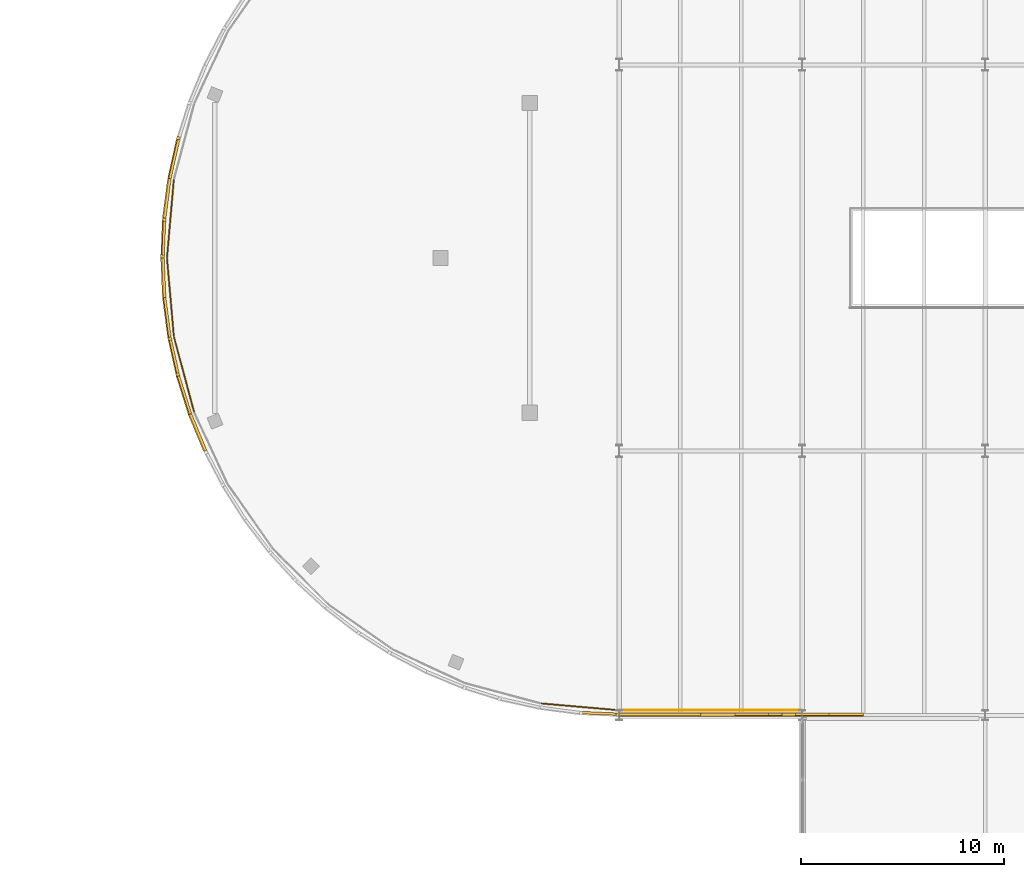
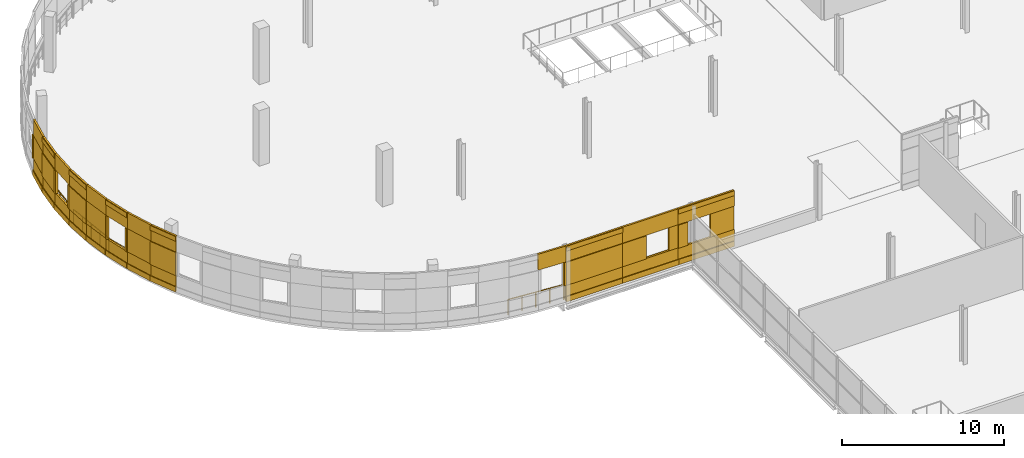
# One storey, part 78 of 88: 57 coverings, 5 railings.
"""IFC4 building model written with IfcOpenShell, lengths in metres."""

from ifc_helpers import new_model, si_unit, direction, frame, origin, origin_2d, place, context, subcontext, project, spatial, rectangle, circle, extrude, material, layer, layer_set, type_object, element, save


model = new_model("IFC4")

# Units and contexts
model_context = context("Model", 3, precision=1e-05, world=origin(), true_north=direction((0.0, 1.0)))
body_context = subcontext(model_context, "Body", "Model", "MODEL_VIEW")
ifc_project = project(units=[si_unit("LENGTHUNIT", "METRE"), si_unit("AREAUNIT", "SQUARE_METRE"), si_unit("VOLUMEUNIT", "CUBIC_METRE"), si_unit("PLANEANGLEUNIT", "RADIAN"), si_unit("MASSUNIT", "GRAM", prefix="KILO")], contexts=[model_context])

# Site, building, storey
site_placement = place(None, origin())
site = spatial("IfcSite", under=ifc_project, at=site_placement, CompositionType="ELEMENT")
building_placement = place(site_placement, origin())
building = spatial("IfcBuilding", under=site, at=building_placement, Name="Deido Ridge Mobility Hub", CompositionType="ELEMENT")
storey_placement = place(building_placement, frame((0.0, 0.0, 16.800048828125)))
storey = spatial("IfcBuildingStorey", under=building, at=storey_placement, Name="L04", CompositionType="ELEMENT", Elevation=16.800048828125)

# Coverings
ifc_material_1 = material(Name="Fired clay brick masonry", Category="masonry")
ifc_layer = layer(ifc_material_1, 0.114990234375, Name="Fired clay brick masonry")
ifc_layer_set = layer_set([ifc_layer], Name="Fired clay brick masonry")
covering_type = type_object("IfcCoveringType", Name="COV-BRK-SCREEN-115", PredefinedType="CLADDING", material=ifc_layer_set)
covering_1_placement = place(storey_placement, frame((23.314697265625, 109.392578125, 1.25), z_axis=(0.0, 0.0, 1.0), x_axis=(-0.300672508319, -0.95372744678, 0.0)))
element("IfcCovering", 1, at=covering_1_placement, inside=storey, type_object=covering_type, Name="Curved brick jamb nib BKS1 (L04)", PredefinedType="CLADDING", context=body_context, shape_type="SweptSolid", body=[
    extrude(rectangle(XDim=0.152099609375, YDim=0.179931640625, at=origin_2d()), origin(), (0.0, 0.0, 1.0), 1.75),
])
covering_2_placement = place(storey_placement, frame((23.10546875, 108.35400390625, 0.0), z_axis=(0.0, 0.0, 1.0), x_axis=(-0.216456653485, -0.976292229387, 0.0)))
element("IfcCovering", 2, at=covering_2_placement, inside=storey, type_object=covering_type, Name="Open brickwork spandrel course BKS1 (L04)", PredefinedType="CLADDING", context=body_context, shape_type="SweptSolid", body=[
    extrude(rectangle(XDim=1.9619140625, YDim=0.125, at=origin_2d()), origin(), (0.0, 0.0, 1.0), 1.25),
])
covering_3_placement = place(storey_placement, frame((23.07861328125, 108.35986328125, 0.0), z_axis=(0.0, 0.0, 1.0), x_axis=(-0.216456653485, -0.976292229387, 0.0)))
element("IfcCovering", 3, at=covering_3_placement, inside=storey, type_object=covering_type, Name="Raised brick relief belt BKS1 (L04)", PredefinedType="CLADDING", context=body_context, shape_type="SweptSolid", body=[
    extrude(rectangle(XDim=1.9619140625, YDim=0.179931640625, at=origin_2d()), origin(), (0.0, 0.0, 1.0), 0.39990234375),
])
covering_4_placement = place(storey_placement, frame((23.10546875, 108.35400390625, 3.0), z_axis=(0.0, 0.0, 1.0), x_axis=(-0.216456653485, -0.976292229387, 0.0)))
element("IfcCovering", 4, at=covering_4_placement, inside=storey, type_object=covering_type, Name="Open brickwork lintel course BKS1 (L04)", PredefinedType="CLADDING", context=body_context, shape_type="SweptSolid", body=[
    extrude(rectangle(XDim=1.9619140625, YDim=0.125, at=origin_2d()), origin(), (0.0, 0.0, 1.0), 1.199951171875),
])
covering_5_placement = place(storey_placement, frame((23.10546875, 108.35400390625, 1.25), z_axis=(0.0, 0.0, 1.0), x_axis=(-0.216456653485, -0.976292229387, 0.0)))
element("IfcCovering", 5, at=covering_5_placement, inside=storey, type_object=covering_type, Name="Curved raised brickwork pier BKS1 (L04)", PredefinedType="CLADDING", context=body_context, shape_type="SweptSolid", body=[
    extrude(rectangle(XDim=1.9619140625, YDim=0.125, at=origin_2d()), origin(), (0.0, 0.0, 1.0), 1.75),
])
covering_6_placement = place(storey_placement, frame((22.765625, 106.42724609375, 0.0), z_axis=(0.0, 0.0, 1.0), x_axis=(-0.130543496177, -0.991442583111, 0.0)))
element("IfcCovering", 6, at=covering_6_placement, inside=storey, type_object=covering_type, Name="Open brickwork spandrel course BKS1 (L04)", PredefinedType="CLADDING", context=body_context, shape_type="SweptSolid", body=[
    extrude(rectangle(XDim=1.9619140625, YDim=0.125, at=origin_2d()), origin(), (0.0, 0.0, 1.0), 1.25),
])
covering_7_placement = place(storey_placement, frame((22.73828125, 106.430908203125, 0.0), z_axis=(0.0, 0.0, 1.0), x_axis=(-0.130543496177, -0.991442583111, 0.0)))
element("IfcCovering", 7, at=covering_7_placement, inside=storey, type_object=covering_type, Name="Raised brick relief belt BKS1 (L04)", PredefinedType="CLADDING", context=body_context, shape_type="SweptSolid", body=[
    extrude(rectangle(XDim=1.9619140625, YDim=0.179931640625, at=origin_2d()), origin(), (0.0, 0.0, 1.0), 0.39990234375),
])
covering_8_placement = place(storey_placement, frame((22.765625, 106.42724609375, 3.0), z_axis=(0.0, 0.0, 1.0), x_axis=(-0.130543496177, -0.991442583111, 0.0)))
element("IfcCovering", 8, at=covering_8_placement, inside=storey, type_object=covering_type, Name="Open brickwork lintel course BKS1 (L04)", PredefinedType="CLADDING", context=body_context, shape_type="SweptSolid", body=[
    extrude(rectangle(XDim=1.9619140625, YDim=0.125, at=origin_2d()), origin(), (0.0, 0.0, 1.0), 1.199951171875),
])
covering_9_placement = place(storey_placement, frame((22.73828125, 106.430908203125, 3.83984375), z_axis=(0.0, 0.0, 1.0), x_axis=(-0.130543496177, -0.991442583111, 0.0)))
element("IfcCovering", 9, at=covering_9_placement, inside=storey, type_object=covering_type, Name="Raised brick relief cornice BKS1 (L04)", PredefinedType="CLADDING", context=body_context, shape_type="SweptSolid", body=[
    extrude(rectangle(XDim=1.9619140625, YDim=0.179931640625, at=origin_2d()), origin(), (0.0, 0.0, 1.0), 0.360107421875),
])
covering_10_placement = place(storey_placement, frame((22.73828125, 106.430908203125, 1.25), z_axis=(0.0, 0.0, 1.0), x_axis=(-0.130543496177, -0.991442583111, 0.0)))
element("IfcCovering", 10, at=covering_10_placement, inside=storey, type_object=covering_type, Name="Curved raised brickwork pier BKS1 (L04)", PredefinedType="CLADDING", context=body_context, shape_type="SweptSolid", body=[
    extrude(rectangle(XDim=1.9619140625, YDim=0.179931640625, at=origin_2d()), origin(), (0.0, 0.0, 1.0), 1.75),
])
covering_11_placement = place(storey_placement, frame((22.59521484375, 104.478271484375, 0.0), z_axis=(0.0, 0.0, 1.0), x_axis=(-0.043601950678, -0.999048982732, 0.0)))
element("IfcCovering", 11, at=covering_11_placement, inside=storey, type_object=covering_type, Name="Open brickwork spandrel course BKS1 (L04)", PredefinedType="CLADDING", context=body_context, shape_type="SweptSolid", body=[
    extrude(rectangle(XDim=1.9619140625, YDim=0.125, at=origin_2d()), origin(), (0.0, 0.0, 1.0), 1.25),
])
covering_12_placement = place(storey_placement, frame((22.567626953125, 104.4794921875, 0.0), z_axis=(0.0, 0.0, 1.0), x_axis=(-0.043601950678, -0.999048982732, 0.0)))
element("IfcCovering", 12, at=covering_12_placement, inside=storey, type_object=covering_type, Name="Raised brick relief belt BKS1 (L04)", PredefinedType="CLADDING", context=body_context, shape_type="SweptSolid", body=[
    extrude(rectangle(XDim=1.9619140625, YDim=0.179931640625, at=origin_2d()), origin(), (0.0, 0.0, 1.0), 0.39990234375),
])
covering_13_placement = place(storey_placement, frame((22.59521484375, 104.478271484375, 3.0), z_axis=(0.0, 0.0, 1.0), x_axis=(-0.043601950678, -0.999048982732, 0.0)))
element("IfcCovering", 13, at=covering_13_placement, inside=storey, type_object=covering_type, Name="Open brickwork lintel course BKS1 (L04)", PredefinedType="CLADDING", context=body_context, shape_type="SweptSolid", body=[
    extrude(rectangle(XDim=1.9619140625, YDim=0.125, at=origin_2d()), origin(), (0.0, 0.0, 1.0), 1.199951171875),
])
for number, where, z_axis, x_axis, name in (
    (14, (22.60693359375, 105.379638671875, 1.25), (0.0, 0.0, 1.0), (-0.043601950678, -0.999048982732, 0.0), "Curved brick jamb nib BKS1 (L04)"),
    (15, (22.5283203125, 103.5791015625, 1.25), (0.0, 0.0, 1.0), (-0.043601950678, -0.999048982732, 0.0), "Curved brick jamb nib BKS1 (L04)"),
):
    element("IfcCovering", number, at=place(storey_placement, frame(where, z_axis=z_axis, x_axis=x_axis)), inside=storey, type_object=covering_type, Name=name, PredefinedType="CLADDING", context=body_context, shape_type="SweptSolid", body=[
        extrude(rectangle(XDim=0.152099609375, YDim=0.179931640625, at=origin_2d()), origin(), (0.0, 0.0, 1.0), 1.75),
    ])
covering_14_placement = place(storey_placement, frame((22.59521484375, 102.521728515625, 0.0), z_axis=(0.0, 0.0, 1.0), x_axis=(0.043601950678, -0.999048982732, 0.0)))
element("IfcCovering", 16, at=covering_14_placement, inside=storey, type_object=covering_type, Name="Open brickwork spandrel course BKS1 (L04)", PredefinedType="CLADDING", context=body_context, shape_type="SweptSolid", body=[
    extrude(rectangle(XDim=1.9619140625, YDim=0.125, at=origin_2d()), origin(), (0.0, 0.0, 1.0), 1.25),
])
covering_15_placement = place(storey_placement, frame((22.567626953125, 102.5205078125, 0.0), z_axis=(0.0, 0.0, 1.0), x_axis=(0.043601950678, -0.999048982732, 0.0)))
element("IfcCovering", 17, at=covering_15_placement, inside=storey, type_object=covering_type, Name="Raised brick relief belt BKS1 (L04)", PredefinedType="CLADDING", context=body_context, shape_type="SweptSolid", body=[
    extrude(rectangle(XDim=1.9619140625, YDim=0.179931640625, at=origin_2d()), origin(), (0.0, 0.0, 1.0), 0.39990234375),
])
covering_16_placement = place(storey_placement, frame((22.59521484375, 102.521728515625, 3.0), z_axis=(0.0, 0.0, 1.0), x_axis=(0.043601950678, -0.999048982732, 0.0)))
element("IfcCovering", 18, at=covering_16_placement, inside=storey, type_object=covering_type, Name="Open brickwork lintel course BKS1 (L04)", PredefinedType="CLADDING", context=body_context, shape_type="SweptSolid", body=[
    extrude(rectangle(XDim=1.9619140625, YDim=0.125, at=origin_2d()), origin(), (0.0, 0.0, 1.0), 1.199951171875),
])
covering_17_placement = place(storey_placement, frame((22.567626953125, 102.5205078125, 3.83984375), z_axis=(0.0, 0.0, 1.0), x_axis=(0.043601950678, -0.999048982732, 0.0)))
element("IfcCovering", 19, at=covering_17_placement, inside=storey, type_object=covering_type, Name="Raised brick relief cornice BKS1 (L04)", PredefinedType="CLADDING", context=body_context, shape_type="SweptSolid", body=[
    extrude(rectangle(XDim=1.9619140625, YDim=0.179931640625, at=origin_2d()), origin(), (0.0, 0.0, 1.0), 0.360107421875),
])
covering_18_placement = place(storey_placement, frame((22.567626953125, 102.5205078125, 1.25), z_axis=(0.0, 0.0, 1.0), x_axis=(0.043601950678, -0.999048982732, 0.0)))
element("IfcCovering", 20, at=covering_18_placement, inside=storey, type_object=covering_type, Name="Curved raised brickwork pier BKS1 (L04)", PredefinedType="CLADDING", context=body_context, shape_type="SweptSolid", body=[
    extrude(rectangle(XDim=1.9619140625, YDim=0.179931640625, at=origin_2d()), origin(), (0.0, 0.0, 1.0), 1.75),
])
covering_19_placement = place(storey_placement, frame((22.765625, 100.57275390625, 0.0), z_axis=(0.0, 0.0, 1.0), x_axis=(0.130543496177, -0.991442583111, 0.0)))
element("IfcCovering", 21, at=covering_19_placement, inside=storey, type_object=covering_type, Name="Open brickwork spandrel course BKS1 (L04)", PredefinedType="CLADDING", context=body_context, shape_type="SweptSolid", body=[
    extrude(rectangle(XDim=1.9619140625, YDim=0.125, at=origin_2d()), origin(), (0.0, 0.0, 1.0), 1.25),
])
covering_20_placement = place(storey_placement, frame((22.73828125, 100.569091796875, 0.0), z_axis=(0.0, 0.0, 1.0), x_axis=(0.130543496177, -0.991442583111, 0.0)))
element("IfcCovering", 22, at=covering_20_placement, inside=storey, type_object=covering_type, Name="Raised brick relief belt BKS1 (L04)", PredefinedType="CLADDING", context=body_context, shape_type="SweptSolid", body=[
    extrude(rectangle(XDim=1.9619140625, YDim=0.179931640625, at=origin_2d()), origin(), (0.0, 0.0, 1.0), 0.39990234375),
])
covering_21_placement = place(storey_placement, frame((22.765625, 100.57275390625, 3.0), z_axis=(0.0, 0.0, 1.0), x_axis=(0.130543496177, -0.991442583111, 0.0)))
element("IfcCovering", 23, at=covering_21_placement, inside=storey, type_object=covering_type, Name="Open brickwork lintel course BKS1 (L04)", PredefinedType="CLADDING", context=body_context, shape_type="SweptSolid", body=[
    extrude(rectangle(XDim=1.9619140625, YDim=0.125, at=origin_2d()), origin(), (0.0, 0.0, 1.0), 1.199951171875),
])
covering_22_placement = place(storey_placement, frame((22.765625, 100.57275390625, 1.25), z_axis=(0.0, 0.0, 1.0), x_axis=(0.130543496177, -0.991442583111, 0.0)))
element("IfcCovering", 24, at=covering_22_placement, inside=storey, type_object=covering_type, Name="Curved raised brickwork pier BKS1 (L04)", PredefinedType="CLADDING", context=body_context, shape_type="SweptSolid", body=[
    extrude(rectangle(XDim=1.9619140625, YDim=0.125, at=origin_2d()), origin(), (0.0, 0.0, 1.0), 1.75),
])
covering_23_placement = place(storey_placement, frame((23.10546875, 98.64599609375, 0.0), z_axis=(0.0, 0.0, 1.0), x_axis=(0.216456653485, -0.976292229387, 0.0)))
element("IfcCovering", 25, at=covering_23_placement, inside=storey, type_object=covering_type, Name="Open brickwork spandrel course BKS1 (L04)", PredefinedType="CLADDING", context=body_context, shape_type="SweptSolid", body=[
    extrude(rectangle(XDim=1.9619140625, YDim=0.125, at=origin_2d()), origin(), (0.0, 0.0, 1.0), 1.25),
])
covering_24_placement = place(storey_placement, frame((23.07861328125, 98.64013671875, 0.0), z_axis=(0.0, 0.0, 1.0), x_axis=(0.216456653485, -0.976292229387, 0.0)))
element("IfcCovering", 26, at=covering_24_placement, inside=storey, type_object=covering_type, Name="Raised brick relief belt BKS1 (L04)", PredefinedType="CLADDING", context=body_context, shape_type="SweptSolid", body=[
    extrude(rectangle(XDim=1.9619140625, YDim=0.179931640625, at=origin_2d()), origin(), (0.0, 0.0, 1.0), 0.39990234375),
])
covering_25_placement = place(storey_placement, frame((23.10546875, 98.64599609375, 3.0), z_axis=(0.0, 0.0, 1.0), x_axis=(0.216456653485, -0.976292229387, 0.0)))
element("IfcCovering", 27, at=covering_25_placement, inside=storey, type_object=covering_type, Name="Open brickwork lintel course BKS1 (L04)", PredefinedType="CLADDING", context=body_context, shape_type="SweptSolid", body=[
    extrude(rectangle(XDim=1.9619140625, YDim=0.125, at=origin_2d()), origin(), (0.0, 0.0, 1.0), 1.199951171875),
])
covering_26_placement = place(storey_placement, frame((23.07861328125, 98.64013671875, 3.83984375), z_axis=(0.0, 0.0, 1.0), x_axis=(0.216456653485, -0.976292229387, 0.0)))
element("IfcCovering", 28, at=covering_26_placement, inside=storey, type_object=covering_type, Name="Raised brick relief cornice BKS1 (L04)", PredefinedType="CLADDING", context=body_context, shape_type="SweptSolid", body=[
    extrude(rectangle(XDim=1.9619140625, YDim=0.179931640625, at=origin_2d()), origin(), (0.0, 0.0, 1.0), 0.360107421875),
])
for number, where, z_axis, x_axis, name in (
    (29, (22.883544921875, 99.519775390625, 1.25), (0.0, 0.0, 1.0), (0.216456653485, -0.976292229387, 0.0), "Curved brick jamb nib BKS1 (L04)"),
    (30, (23.273681640625, 97.760498046875, 1.25), (0.0, 0.0, 1.0), (0.216456653485, -0.976292229387, 0.0), "Curved brick jamb nib BKS1 (L04)"),
):
    element("IfcCovering", number, at=place(storey_placement, frame(where, z_axis=z_axis, x_axis=x_axis)), inside=storey, type_object=covering_type, Name=name, PredefinedType="CLADDING", context=body_context, shape_type="SweptSolid", body=[
        extrude(rectangle(XDim=0.152099609375, YDim=0.179931640625, at=origin_2d()), origin(), (0.0, 0.0, 1.0), 1.75),
    ])
covering_27_placement = place(storey_placement, frame((23.61181640625, 96.75634765625, 0.0), z_axis=(0.0, 0.0, 1.0), x_axis=(0.300672508319, -0.95372744678, 0.0)))
element("IfcCovering", 31, at=covering_27_placement, inside=storey, type_object=covering_type, Name="Open brickwork spandrel course BKS1 (L04)", PredefinedType="CLADDING", context=body_context, shape_type="SweptSolid", body=[
    extrude(rectangle(XDim=1.9619140625, YDim=0.125, at=origin_2d()), origin(), (0.0, 0.0, 1.0), 1.25),
])
covering_28_placement = place(storey_placement, frame((23.585693359375, 96.748046875, 0.0), z_axis=(0.0, 0.0, 1.0), x_axis=(0.300672508319, -0.95372744678, 0.0)))
element("IfcCovering", 32, at=covering_28_placement, inside=storey, type_object=covering_type, Name="Raised brick relief belt BKS1 (L04)", PredefinedType="CLADDING", context=body_context, shape_type="SweptSolid", body=[
    extrude(rectangle(XDim=1.9619140625, YDim=0.179931640625, at=origin_2d()), origin(), (0.0, 0.0, 1.0), 0.39990234375),
])
covering_29_placement = place(storey_placement, frame((23.61181640625, 96.75634765625, 3.0), z_axis=(0.0, 0.0, 1.0), x_axis=(0.300672508319, -0.95372744678, 0.0)))
element("IfcCovering", 33, at=covering_29_placement, inside=storey, type_object=covering_type, Name="Open brickwork lintel course BKS1 (L04)", PredefinedType="CLADDING", context=body_context, shape_type="SweptSolid", body=[
    extrude(rectangle(XDim=1.9619140625, YDim=0.125, at=origin_2d()), origin(), (0.0, 0.0, 1.0), 1.199951171875),
])
covering_30_placement = place(storey_placement, frame((23.61181640625, 96.75634765625, 1.25), z_axis=(0.0, 0.0, 1.0), x_axis=(0.300672508319, -0.95372744678, 0.0)))
element("IfcCovering", 34, at=covering_30_placement, inside=storey, type_object=covering_type, Name="Curved raised brickwork pier BKS1 (L04)", PredefinedType="CLADDING", context=body_context, shape_type="SweptSolid", body=[
    extrude(rectangle(XDim=1.9619140625, YDim=0.125, at=origin_2d()), origin(), (0.0, 0.0, 1.0), 1.75),
])
covering_31_placement = place(storey_placement, frame((24.281005859375, 94.91796875, 0.0), z_axis=(0.0, 0.0, 1.0), x_axis=(0.382699557047, -0.923872853285, 0.0)))
element("IfcCovering", 35, at=covering_31_placement, inside=storey, type_object=covering_type, Name="Open brickwork spandrel course BKS1 (L04)", PredefinedType="CLADDING", context=body_context, shape_type="SweptSolid", body=[
    extrude(rectangle(XDim=1.9619140625, YDim=0.125, at=origin_2d()), origin(), (0.0, 0.0, 1.0), 1.25),
])
covering_32_placement = place(storey_placement, frame((24.255615234375, 94.9072265625, 0.0), z_axis=(0.0, 0.0, 1.0), x_axis=(0.382699557047, -0.923872853285, 0.0)))
element("IfcCovering", 36, at=covering_32_placement, inside=storey, type_object=covering_type, Name="Raised brick relief belt BKS1 (L04)", PredefinedType="CLADDING", context=body_context, shape_type="SweptSolid", body=[
    extrude(rectangle(XDim=1.9619140625, YDim=0.179931640625, at=origin_2d()), origin(), (0.0, 0.0, 1.0), 0.39990234375),
])
covering_33_placement = place(storey_placement, frame((24.281005859375, 94.91796875, 3.0), z_axis=(0.0, 0.0, 1.0), x_axis=(0.382699557047, -0.923872853285, 0.0)))
element("IfcCovering", 37, at=covering_33_placement, inside=storey, type_object=covering_type, Name="Open brickwork lintel course BKS1 (L04)", PredefinedType="CLADDING", context=body_context, shape_type="SweptSolid", body=[
    extrude(rectangle(XDim=1.9619140625, YDim=0.125, at=origin_2d()), origin(), (0.0, 0.0, 1.0), 1.199951171875),
])
covering_34_placement = place(storey_placement, frame((24.255615234375, 94.9072265625, 3.83984375), z_axis=(0.0, 0.0, 1.0), x_axis=(0.382699557047, -0.923872853285, 0.0)))
element("IfcCovering", 38, at=covering_34_placement, inside=storey, type_object=covering_type, Name="Raised brick relief cornice BKS1 (L04)", PredefinedType="CLADDING", context=body_context, shape_type="SweptSolid", body=[
    extrude(rectangle(XDim=1.9619140625, YDim=0.179931640625, at=origin_2d()), origin(), (0.0, 0.0, 1.0), 0.360107421875),
])
covering_35_placement = place(storey_placement, frame((24.255615234375, 94.9072265625, 1.25), z_axis=(0.0, 0.0, 1.0), x_axis=(0.382699557047, -0.923872853285, 0.0)))
element("IfcCovering", 39, at=covering_35_placement, inside=storey, type_object=covering_type, Name="Curved raised brickwork pier BKS1 (L04)", PredefinedType="CLADDING", context=body_context, shape_type="SweptSolid", body=[
    extrude(rectangle(XDim=1.9619140625, YDim=0.179931640625, at=origin_2d()), origin(), (0.0, 0.0, 1.0), 1.75),
])
covering_36_placement = place(storey_placement, frame((44.021728515625, 81.09521484375, 3.0), z_axis=(0.0, 0.0, 1.0), x_axis=(0.999048982732, -0.043601950678, 0.0)))
element("IfcCovering", 40, at=covering_36_placement, inside=storey, type_object=covering_type, Name="Open brickwork lintel course BKS1 (L04)", PredefinedType="CLADDING", context=body_context, shape_type="SweptSolid", body=[
    extrude(rectangle(XDim=1.9619140625, YDim=0.125, at=origin_2d()), origin(), (0.0, 0.0, 1.0), 1.199951171875),
])
covering_37_placement = place(storey_placement, frame((44.9208984375, 81.0283203125, 1.25), z_axis=(0.0, 0.0, 1.0), x_axis=(0.999048982732, -0.043601950678, 0.0)))
element("IfcCovering", 41, at=covering_37_placement, inside=storey, type_object=covering_type, Name="Curved brick jamb nib BKS1 (L04)", PredefinedType="CLADDING", context=body_context, shape_type="SweptSolid", body=[
    extrude(rectangle(XDim=0.152099609375, YDim=0.179931640625, at=origin_2d()), origin(), (0.0, 0.0, 1.0), 1.75),
])
covering_38_placement = place(storey_placement, frame((47.0, 81.052490234375, 0.0), z_axis=(0.0, 0.0, 1.0), x_axis=(1.0, 0.0, 0.0)))
element("IfcCovering", 42, at=covering_38_placement, inside=storey, type_object=covering_type, Name="Open brickwork spandrel course BKS1 (L04)", PredefinedType="CLADDING", context=body_context, shape_type="SweptSolid", body=[
    extrude(rectangle(XDim=4.01611328125, YDim=0.125, at=origin_2d()), origin(), (0.0, 0.0, 1.0), 1.25),
])
covering_39_placement = place(storey_placement, frame((47.0, 81.02490234375, 0.0), z_axis=(0.0, 0.0, 1.0), x_axis=(1.0, 0.0, 0.0)))
element("IfcCovering", 43, at=covering_39_placement, inside=storey, type_object=covering_type, Name="Raised brick relief belt BKS1 (L04)", PredefinedType="CLADDING", context=body_context, shape_type="SweptSolid", body=[
    extrude(rectangle(XDim=4.01611328125, YDim=0.179931640625, at=origin_2d()), origin(), (0.0, 0.0, 1.0), 0.39990234375),
])
covering_40_placement = place(storey_placement, frame((47.0, 81.052490234375, 3.0), z_axis=(0.0, 0.0, 1.0), x_axis=(1.0, 0.0, 0.0)))
element("IfcCovering", 44, at=covering_40_placement, inside=storey, type_object=covering_type, Name="Open brickwork lintel course BKS1 (L04)", PredefinedType="CLADDING", context=body_context, shape_type="SweptSolid", body=[
    extrude(rectangle(XDim=4.01611328125, YDim=0.125, at=origin_2d()), origin(), (0.0, 0.0, 1.0), 1.199951171875),
])
covering_41_placement = place(storey_placement, frame((47.0, 81.02490234375, 3.83984375), z_axis=(0.0, 0.0, 1.0), x_axis=(1.0, 0.0, 0.0)))
element("IfcCovering", 45, at=covering_41_placement, inside=storey, type_object=covering_type, Name="Raised brick relief cornice BKS1 (L04)", PredefinedType="CLADDING", context=body_context, shape_type="SweptSolid", body=[
    extrude(rectangle(XDim=4.01611328125, YDim=0.179931640625, at=origin_2d()), origin(), (0.0, 0.0, 1.0), 0.360107421875),
])
covering_42_placement = place(storey_placement, frame((47.0, 81.02490234375, 1.25), z_axis=(0.0, 0.0, 1.0), x_axis=(1.0, 0.0, 0.0)))
element("IfcCovering", 46, at=covering_42_placement, inside=storey, type_object=covering_type, Name="Raised brick relief panel BKS1 (L04)", PredefinedType="CLADDING", context=body_context, shape_type="SweptSolid", body=[
    extrude(rectangle(XDim=4.008056640625, YDim=0.179931640625, at=origin_2d()), origin(), (0.0, 0.0, 1.0), 1.75),
])
covering_43_placement = place(storey_placement, frame((51.0, 81.052490234375, 0.0), z_axis=(0.0, 0.0, 1.0), x_axis=(1.0, 0.0, 0.0)))
element("IfcCovering", 47, at=covering_43_placement, inside=storey, type_object=covering_type, Name="Open brickwork spandrel course BKS1 (L04)", PredefinedType="CLADDING", context=body_context, shape_type="SweptSolid", body=[
    extrude(rectangle(XDim=4.01611328125, YDim=0.125, at=origin_2d()), origin(), (0.0, 0.0, 1.0), 1.25),
])
covering_44_placement = place(storey_placement, frame((51.0, 81.02490234375, 0.0), z_axis=(0.0, 0.0, 1.0), x_axis=(1.0, 0.0, 0.0)))
element("IfcCovering", 48, at=covering_44_placement, inside=storey, type_object=covering_type, Name="Raised brick relief belt BKS1 (L04)", PredefinedType="CLADDING", context=body_context, shape_type="SweptSolid", body=[
    extrude(rectangle(XDim=4.01611328125, YDim=0.179931640625, at=origin_2d()), origin(), (0.0, 0.0, 1.0), 0.39990234375),
])
covering_45_placement = place(storey_placement, frame((51.0, 81.052490234375, 3.0), z_axis=(0.0, 0.0, 1.0), x_axis=(1.0, 0.0, 0.0)))
element("IfcCovering", 49, at=covering_45_placement, inside=storey, type_object=covering_type, Name="Open brickwork lintel course BKS1 (L04)", PredefinedType="CLADDING", context=body_context, shape_type="SweptSolid", body=[
    extrude(rectangle(XDim=4.01611328125, YDim=0.125, at=origin_2d()), origin(), (0.0, 0.0, 1.0), 1.199951171875),
])
covering_46_placement = place(storey_placement, frame((49.847412109375, 81.02490234375, 1.25), z_axis=(0.0, 0.0, 1.0), x_axis=(1.0, 0.0, 0.0)))
element("IfcCovering", 50, at=covering_46_placement, inside=storey, type_object=covering_type, Name="Open brickwork pier BKS1 (L04)", PredefinedType="CLADDING", context=body_context, shape_type="SweptSolid", body=[
    extrude(rectangle(XDim=1.695068359375, YDim=0.179931640625, at=origin_2d()), origin(), (0.0, 0.0, 1.0), 1.75),
])
covering_47_placement = place(storey_placement, frame((52.672607421875, 81.052490234375, 1.25), z_axis=(0.0, 0.0, 1.0), x_axis=(1.0, 0.0, 0.0)))
element("IfcCovering", 51, at=covering_47_placement, inside=storey, type_object=covering_type, Name="Open brickwork pier BKS1 (L04)", PredefinedType="CLADDING", context=body_context, shape_type="SweptSolid", body=[
    extrude(rectangle(XDim=0.655029296875, YDim=0.125, at=origin_2d()), origin(), (0.0, 0.0, 1.0), 1.75),
])
covering_48_placement = place(storey_placement, frame((55.0, 81.052490234375, 0.0), z_axis=(0.0, 0.0, 1.0), x_axis=(1.0, 0.0, 0.0)))
element("IfcCovering", 52, at=covering_48_placement, inside=storey, type_object=covering_type, Name="Open brickwork spandrel course BKS1 (L04)", PredefinedType="CLADDING", context=body_context, shape_type="SweptSolid", body=[
    extrude(rectangle(XDim=4.01611328125, YDim=0.125, at=origin_2d()), origin(), (0.0, 0.0, 1.0), 1.25),
])
covering_49_placement = place(storey_placement, frame((55.0, 81.02490234375, 0.0), z_axis=(0.0, 0.0, 1.0), x_axis=(1.0, 0.0, 0.0)))
element("IfcCovering", 53, at=covering_49_placement, inside=storey, type_object=covering_type, Name="Raised brick relief belt BKS1 (L04)", PredefinedType="CLADDING", context=body_context, shape_type="SweptSolid", body=[
    extrude(rectangle(XDim=4.01611328125, YDim=0.179931640625, at=origin_2d()), origin(), (0.0, 0.0, 1.0), 0.39990234375),
])
covering_50_placement = place(storey_placement, frame((55.0, 81.052490234375, 3.0), z_axis=(0.0, 0.0, 1.0), x_axis=(1.0, 0.0, 0.0)))
element("IfcCovering", 54, at=covering_50_placement, inside=storey, type_object=covering_type, Name="Open brickwork lintel course BKS1 (L04)", PredefinedType="CLADDING", context=body_context, shape_type="SweptSolid", body=[
    extrude(rectangle(XDim=4.01611328125, YDim=0.125, at=origin_2d()), origin(), (0.0, 0.0, 1.0), 1.199951171875),
])
covering_51_placement = place(storey_placement, frame((55.0, 81.02490234375, 3.83984375), z_axis=(0.0, 0.0, 1.0), x_axis=(1.0, 0.0, 0.0)))
element("IfcCovering", 55, at=covering_51_placement, inside=storey, type_object=covering_type, Name="Raised brick relief cornice BKS1 (L04)", PredefinedType="CLADDING", context=body_context, shape_type="SweptSolid", body=[
    extrude(rectangle(XDim=4.01611328125, YDim=0.179931640625, at=origin_2d()), origin(), (0.0, 0.0, 1.0), 0.360107421875),
])
covering_52_placement = place(storey_placement, frame((53.327392578125, 81.02490234375, 1.25), z_axis=(0.0, 0.0, 1.0), x_axis=(1.0, 0.0, 0.0)))
element("IfcCovering", 56, at=covering_52_placement, inside=storey, type_object=covering_type, Name="Open brickwork pier BKS1 (L04)", PredefinedType="CLADDING", context=body_context, shape_type="SweptSolid", body=[
    extrude(rectangle(XDim=0.655029296875, YDim=0.179931640625, at=origin_2d()), origin(), (0.0, 0.0, 1.0), 1.75),
])
covering_53_placement = place(storey_placement, frame((56.152587890625, 81.052490234375, 1.25), z_axis=(0.0, 0.0, 1.0), x_axis=(1.0, 0.0, 0.0)))
element("IfcCovering", 57, at=covering_53_placement, inside=storey, type_object=covering_type, Name="Open brickwork pier BKS1 (L04)", PredefinedType="CLADDING", context=body_context, shape_type="SweptSolid", body=[
    extrude(rectangle(XDim=1.695068359375, YDim=0.125, at=origin_2d()), origin(), (0.0, 0.0, 1.0), 1.75),
])

# Railings
ifc_material_2 = material(Name="Galvanised steel work", Category="steel")
railing_type = type_object("IfcRailingType", Name="RL-GRD-EXT-1150", PredefinedType="GUARDRAIL", material=ifc_material_2)
railing_1_placement = place(storey_placement, frame((23.08447265625, 107.323974609375, 0.0)))
element("IfcRailing", 58, at=railing_1_placement, inside=storey, type_object=railing_type, Name="Parking drum perimeter guard (L04)", PredefinedType="GUARDRAIL", context=body_context, shape_type="SweptSolid", body=[
    extrude(circle(Radius=0.02392578125, at=origin_2d()), frame((0.0, 0.0, 1.1259765625), z_axis=(-0.08715100469, -0.996195112607, 0.0), x_axis=(0.996195112607, -0.08715100469, 0.0)), (0.0, 0.0, 1.0), 3.798583984375),
    extrude(circle(Radius=0.02099609375, at=origin_2d()), origin(), (0.0, 0.0, 1.0), 1.101806640625),
    extrude(circle(Radius=0.02099609375, at=origin_2d()), frame((-0.082763671875, -0.946044921875, 0.0)), (0.0, 0.0, 1.0), 1.101806640625),
    extrude(circle(Radius=0.02099609375, at=origin_2d()), frame((-0.16552734375, -1.89208984375, 0.0)), (0.0, 0.0, 1.0), 1.101806640625),
    extrude(circle(Radius=0.02099609375, at=origin_2d()), frame((-0.248291015625, -2.838134765625, 0.0)), (0.0, 0.0, 1.0), 1.101806640625),
    extrude(circle(Radius=0.02099609375, at=origin_2d()), frame((-0.3310546875, -3.7841796875, 0.0)), (0.0, 0.0, 1.0), 1.101806640625),
])
railing_2_placement = place(storey_placement, frame((22.75341796875, 103.460205078125, 0.0)))
element("IfcRailing", 59, at=railing_2_placement, inside=storey, type_object=railing_type, Name="Parking drum perimeter guard (L04)", PredefinedType="GUARDRAIL", context=body_context, shape_type="SweptSolid", body=[
    extrude(circle(Radius=0.02392578125, at=origin_2d()), frame((0.0, 0.0, 1.1259765625), z_axis=(0.08715100469, -0.996195112607, 0.0), x_axis=(0.996195112607, 0.08715100469, 0.0)), (0.0, 0.0, 1.0), 3.798583984375),
    extrude(circle(Radius=0.02099609375, at=origin_2d()), origin(), (0.0, 0.0, 1.0), 1.101806640625),
    extrude(circle(Radius=0.02099609375, at=origin_2d()), frame((0.082763671875, -0.946044921875, 0.0)), (0.0, 0.0, 1.0), 1.101806640625),
    extrude(circle(Radius=0.02099609375, at=origin_2d()), frame((0.16552734375, -1.89208984375, 0.0)), (0.0, 0.0, 1.0), 1.101806640625),
    extrude(circle(Radius=0.02099609375, at=origin_2d()), frame((0.248291015625, -2.838134765625, 0.0)), (0.0, 0.0, 1.0), 1.101806640625),
    extrude(circle(Radius=0.02099609375, at=origin_2d()), frame((0.3310546875, -3.7841796875, 0.0)), (0.0, 0.0, 1.0), 1.101806640625),
])
railing_3_placement = place(storey_placement, frame((23.098388671875, 99.59765625, 0.0)))
element("IfcRailing", 60, at=railing_3_placement, inside=storey, type_object=railing_type, Name="Parking drum perimeter guard (L04)", PredefinedType="GUARDRAIL", context=body_context, shape_type="SweptSolid", body=[
    extrude(circle(Radius=0.02392578125, at=origin_2d()), frame((0.0, 0.0, 1.1259765625), z_axis=(0.258774639064, -0.965937723757, 0.0), x_axis=(0.965937723757, 0.258774639064, 0.0)), (0.0, 0.0, 1.0), 3.79833984375),
    extrude(circle(Radius=0.02099609375, at=origin_2d()), origin(), (0.0, 0.0, 1.0), 1.101806640625),
    extrude(circle(Radius=0.02099609375, at=origin_2d()), frame((0.24560546875, -0.917236328125, 0.0)), (0.0, 0.0, 1.0), 1.101806640625),
    extrude(circle(Radius=0.02099609375, at=origin_2d()), frame((0.491455078125, -1.83447265625, 0.0)), (0.0, 0.0, 1.0), 1.101806640625),
    extrude(circle(Radius=0.02099609375, at=origin_2d()), frame((0.7373046875, -2.751708984375, 0.0)), (0.0, 0.0, 1.0), 1.101806640625),
    extrude(circle(Radius=0.02099609375, at=origin_2d()), frame((0.98291015625, -3.6689453125, 0.0)), (0.0, 0.0, 1.0), 1.101806640625),
])
railing_4_placement = place(storey_placement, frame((41.176025390625, 81.58447265625, 0.0)))
element("IfcRailing", 61, at=railing_4_placement, inside=storey, type_object=railing_type, Name="Parking drum perimeter guard (L04)", PredefinedType="GUARDRAIL", context=body_context, shape_type="SweptSolid", body=[
    extrude(circle(Radius=0.02392578125, at=origin_2d()), frame((0.0, 0.0, 1.1259765625), z_axis=(0.996195112607, -0.08715100469, 0.0), x_axis=(0.08715100469, 0.996195112607, 0.0)), (0.0, 0.0, 1.0), 3.798583984375),
    extrude(circle(Radius=0.02099609375, at=origin_2d()), origin(), (0.0, 0.0, 1.0), 1.101806640625),
    extrude(circle(Radius=0.02099609375, at=origin_2d()), frame((0.946044921875, -0.082763671875, 0.0)), (0.0, 0.0, 1.0), 1.101806640625),
    extrude(circle(Radius=0.02099609375, at=origin_2d()), frame((1.89208984375, -0.16552734375, 0.0)), (0.0, 0.0, 1.0), 1.101806640625),
    extrude(circle(Radius=0.02099609375, at=origin_2d()), frame((2.838134765625, -0.248291015625, 0.0)), (0.0, 0.0, 1.0), 1.101806640625),
    extrude(circle(Radius=0.02099609375, at=origin_2d()), frame((3.7841796875, -0.3310546875, 0.0)), (0.0, 0.0, 1.0), 1.101806640625),
])
railing_5_placement = place(storey_placement, frame((45.0400390625, 81.25, 0.0)))
element("IfcRailing", 62, at=railing_5_placement, inside=storey, type_object=railing_type, Name="Parking drum perimeter guard (L04)", PredefinedType="GUARDRAIL", context=body_context, shape_type="SweptSolid", body=[
    extrude(circle(Radius=0.02392578125, at=origin_2d()), frame((0.0, 0.0, 1.1259765625), z_axis=(1.0, 0.0, 0.0), x_axis=(0.0, 1.0, 0.0)), (0.0, 0.0, 1.0), 8.919921875),
    extrude(circle(Radius=0.02099609375, at=origin_2d()), origin(), (0.0, 0.0, 1.0), 1.101806640625),
    extrude(circle(Radius=0.02099609375, at=origin_2d()), frame((1.114990234375, 0.0, 0.0)), (0.0, 0.0, 1.0), 1.101806640625),
    extrude(circle(Radius=0.02099609375, at=origin_2d()), frame((2.22998046875, 0.0, 0.0)), (0.0, 0.0, 1.0), 1.101806640625),
    extrude(circle(Radius=0.02099609375, at=origin_2d()), frame((3.344970703125, 0.0, 0.0)), (0.0, 0.0, 1.0), 1.101806640625),
    extrude(circle(Radius=0.02099609375, at=origin_2d()), frame((4.4599609375, 0.0, 0.0)), (0.0, 0.0, 1.0), 1.101806640625),
    extrude(circle(Radius=0.02099609375, at=origin_2d()), frame((5.574951171875, 0.0, 0.0)), (0.0, 0.0, 1.0), 1.101806640625),
    extrude(circle(Radius=0.02099609375, at=origin_2d()), frame((6.68994140625, 0.0, 0.0)), (0.0, 0.0, 1.0), 1.101806640625),
    extrude(circle(Radius=0.02099609375, at=origin_2d()), frame((7.804931640625, 0.0, 0.0)), (0.0, 0.0, 1.0), 1.101806640625),
    extrude(circle(Radius=0.02099609375, at=origin_2d()), frame((8.919921875, 0.0, 0.0)), (0.0, 0.0, 1.0), 1.101806640625),
])

save(model, "model.ifc")
